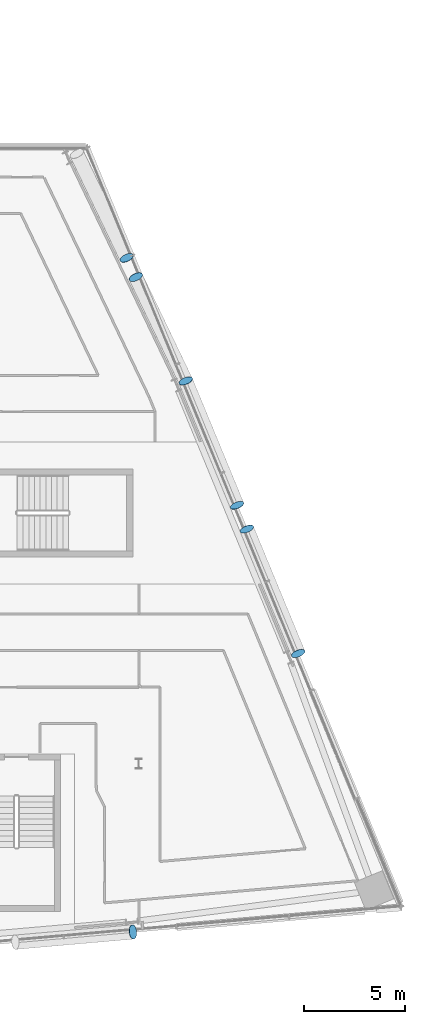
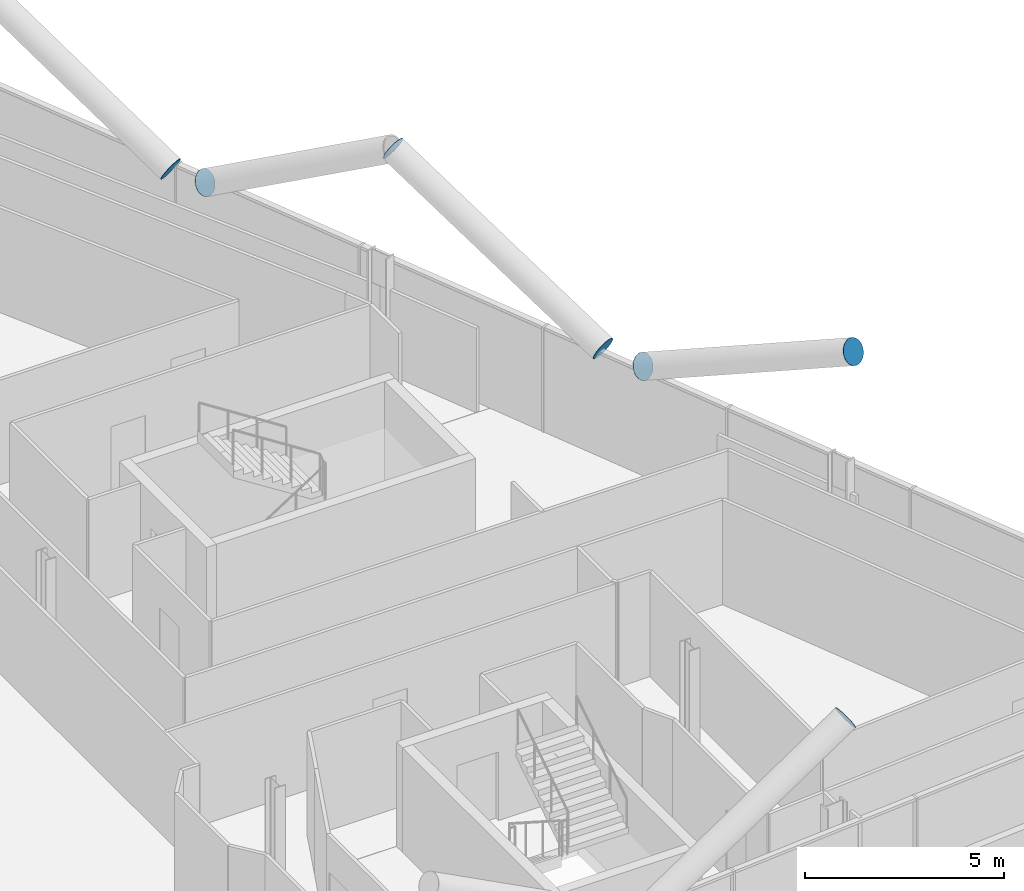
# One storey, part 25 of 28: 7 discrete accessories.
"""IFC4 building model written with IfcOpenShell, lengths in metres."""

from ifc_helpers import new_model, si_unit, direction, frame, origin, origin_2d, place, context, subcontext, project, spatial, circle, extrude, material, material_profile, profile_set, type_object, element, save


model = new_model("IFC4")

# Units and contexts
model_context = context("Model", 3, precision=1e-05, world=origin(), true_north=direction((0.0, 1.0)))
body_context = subcontext(model_context, "Body", "Model", "MODEL_VIEW")
ifc_project = project(units=[si_unit("LENGTHUNIT", "METRE"), si_unit("AREAUNIT", "SQUARE_METRE"), si_unit("VOLUMEUNIT", "CUBIC_METRE"), si_unit("PLANEANGLEUNIT", "RADIAN"), si_unit("MASSUNIT", "GRAM", prefix="KILO")], contexts=[model_context])

# Site, building, storey
site_placement = place(None, origin())
site = spatial("IfcSite", under=ifc_project, at=site_placement, CompositionType="ELEMENT")
building_placement = place(site_placement, origin())
building = spatial("IfcBuilding", under=site, at=building_placement, Name="Wharfspan Tower", CompositionType="ELEMENT")
storey_placement = place(building_placement, frame((0.0, 0.0, 187.899902)))
storey = spatial("IfcBuildingStorey", under=building, at=storey_placement, Name="L46", CompositionType="ELEMENT", Elevation=187.899902)

# Discrete accessories
ifc_material = material(Name="Steel S460NH", Category="steel")
ifc_material_profile = material_profile(ifc_material, circle(Radius=0.355469, at=origin_2d()))
ifc_profile_set = profile_set([ifc_material_profile], Name="Steel S460NH")
discrete_accessory_type = type_object("IfcDiscreteAccessoryType", Name="End plate CHS 711x36", PredefinedType="BRACKET", material=ifc_profile_set)
for number, where, z_axis, x_axis, name in (
    (1, (71.706055, 3.181641, 6.5), (0.855186, 0.073302, 0.513112), (-0.085402, 0.996345, 1e-06), "End plate CHS 711x36"),
    (2, (76.857666, 24.266846, 3.212402), (-0.341972, 0.830504, 0.439679), (-0.924678, -0.380749, -1e-06), "End plate CHS 711x36"),
    (3, (74.320557, 30.411865, 6.5), (-0.338259, 0.821486, 0.459066), (-0.924676, -0.380749, 0.0), "End plate CHS 711x36"),
    (4, (77.3396, 23.099609, 3.212402), (0.341972, -0.830504, 0.439679), (0.924678, 0.380749, -1e-06), "End plate CHS 711x36"),
    (5, (79.876465, 16.954346, 6.5), (0.338259, -0.821486, 0.459066), (0.924676, 0.380749, 0.0), "End plate CHS 711x36"),
    (6, (71.404785, 36.496582, 3.200928), (-0.369386, 0.788024, 0.492515), (-0.905459, -0.424433, -1e-06), "End plate CHS 711x36"),
    (7, (71.854492, 35.55835, 3.200928), (0.369386, -0.788024, 0.492515), (0.905459, 0.424433, -1e-06), "End plate CHS 711x36"),
):
    element("IfcDiscreteAccessory", number, at=place(storey_placement, frame(where, z_axis=z_axis, x_axis=x_axis)), inside=storey, type_object=discrete_accessory_type, Name=name, PredefinedType="BRACKET", context=body_context, shape_type="SweptSolid", body=[
        extrude(circle(Radius=0.355469, at=origin_2d()), origin(), (0.0, 0.0, 1.0), 0.01001),
    ])

save(model, "model.ifc")
